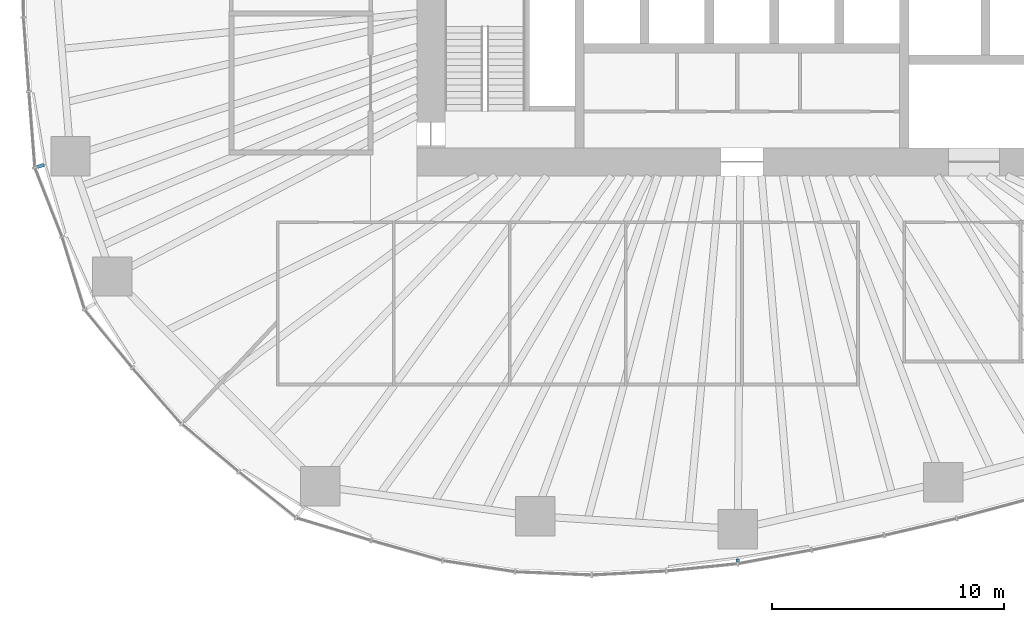
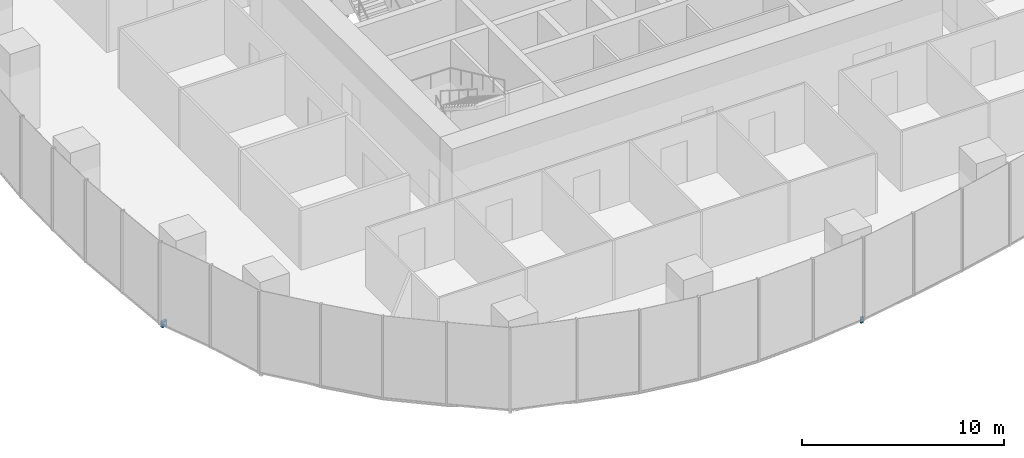
# One storey, part 13 of 20: 2 discrete accessories.
"""IFC4 building model written with IfcOpenShell, lengths in metres."""

from ifc_helpers import new_model, si_unit, direction, frame, origin, origin_2d, place, context, subcontext, project, spatial, rectangle, extrude, material, type_object, element, save


model = new_model("IFC4")

# Units and contexts
model_context = context("Model", 3, precision=1e-05, world=origin(), true_north=direction((0.0, 1.0)))
body_context = subcontext(model_context, "Body", "Model", "MODEL_VIEW")
ifc_project = project(units=[si_unit("LENGTHUNIT", "METRE"), si_unit("AREAUNIT", "SQUARE_METRE"), si_unit("VOLUMEUNIT", "CUBIC_METRE"), si_unit("PLANEANGLEUNIT", "RADIAN"), si_unit("MASSUNIT", "GRAM", prefix="KILO")], contexts=[model_context])

# Site, building, storey
site_placement = place(None, origin())
site = spatial("IfcSite", under=ifc_project, at=site_placement, CompositionType="ELEMENT")
building_placement = place(site_placement, origin())
building = spatial("IfcBuilding", under=site, at=building_placement, Name="Ghaith Harvest Tower", CompositionType="ELEMENT")
storey_placement = place(building_placement, frame((0.0, 0.0, 55.0)))
storey = spatial("IfcBuildingStorey", under=building, at=storey_placement, Name="L11", CompositionType="ELEMENT", Elevation=55.0)

# Discrete accessories
ifc_material_1 = material(Name="Stainless steel grade 1.4401", Category="steel")
discrete_accessory_type_1 = type_object("IfcDiscreteAccessoryType", Name="CURTAIN WALL BRACKET 315", PredefinedType="BRACKET", material=ifc_material_1)
discrete_accessory_1_placement = place(storey_placement, frame((-30.219482421875, -9.5771484375, -0.25), z_axis=(0.0, 0.0, 1.0), x_axis=(-0.953273219416, -0.302109531701, 0.0)))
element("IfcDiscreteAccessory", 1, at=discrete_accessory_1_placement, inside=storey, type_object=discrete_accessory_type_1, Name="CW-F bracket 1 bay 12 L11", PredefinedType="BRACKET", context=body_context, shape_type="SweptSolid", body=[
    extrude(rectangle(XDim=0.31494140625, YDim=0.14990234375, at=origin_2d()), origin(), (0.0, 0.0, 1.0), 0.35009765625),
])
ifc_material_2 = material(Name="Stainless steel grade 1.4401", Category="steel")
discrete_accessory_type_2 = type_object("IfcDiscreteAccessoryType", Name="CURTAIN WALL BRACKET 95", PredefinedType="BRACKET", material=ifc_material_2)
discrete_accessory_2_placement = place(storey_placement, frame((-0.181884765625, -26.569580078125, -0.25), z_axis=(0.0, 0.0, 1.0), x_axis=(-0.006843747957, -0.999976581283, 0.0)))
element("IfcDiscreteAccessory", 2, at=discrete_accessory_2_placement, inside=storey, type_object=discrete_accessory_type_2, Name="CW-F bracket 1 bay 16 L11", PredefinedType="BRACKET", context=body_context, shape_type="SweptSolid", body=[
    extrude(rectangle(XDim=0.094970703125, YDim=0.14990234375, at=origin_2d()), origin(), (0.0, 0.0, 1.0), 0.35009765625),
])

save(model, "model.ifc")
